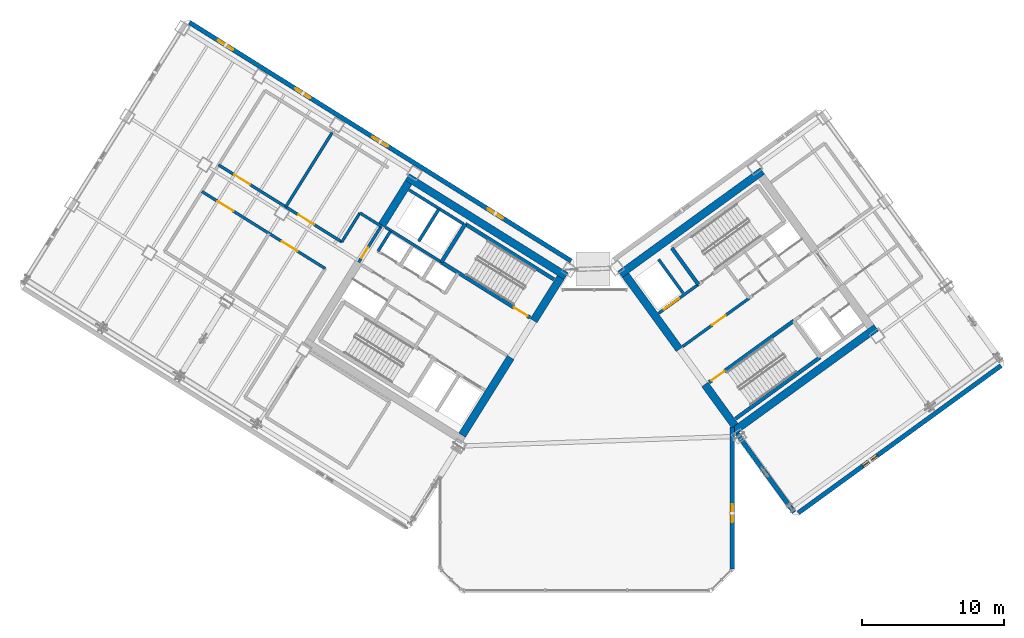
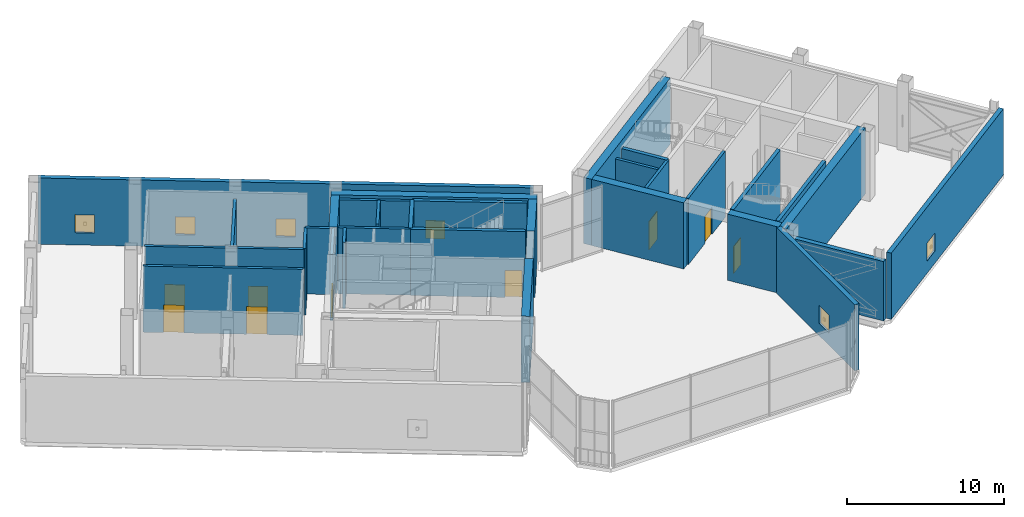
# One storey, part 22 of 30: 31 walls, 9 doors, 6 windows, 15 openings.
"""IFC4 building model written with IfcOpenShell, lengths in metres."""

from ifc_helpers import new_model, si_unit, direction, frame, frame_2d, origin, place, context, subcontext, project, spatial, rectangle, extrude, source, transform, mapped, material, layer, layer_set, type_object, element, fill, save


model = new_model("IFC4")

# Units and contexts
model_context = context("Model", 3, precision=1e-05, world=origin(), true_north=direction((0.0, 1.0)))
body_context = subcontext(model_context, "Body", "Model", "MODEL_VIEW")
ifc_project = project(units=[si_unit("LENGTHUNIT", "METRE"), si_unit("AREAUNIT", "SQUARE_METRE"), si_unit("VOLUMEUNIT", "CUBIC_METRE"), si_unit("PLANEANGLEUNIT", "RADIAN"), si_unit("MASSUNIT", "GRAM", prefix="KILO")], contexts=[model_context])

# Site, building, storey
site_placement = place(None, origin())
site = spatial("IfcSite", under=ifc_project, at=site_placement, CompositionType="ELEMENT")
building_placement = place(site_placement, origin())
building = spatial("IfcBuilding", under=site, at=building_placement, Name="Tlacorven Tower", CompositionType="ELEMENT")
storey_placement = place(building_placement, frame((0.0, 0.0, 169.5)))
storey = spatial("IfcBuildingStorey", under=building, at=storey_placement, Name="L43", CompositionType="ELEMENT", Elevation=169.5)

# Walls
ifc_material_1 = material(Name="Concrete C60/75", Category="concrete")
ifc_layer_1 = layer(ifc_material_1, 0.550048828125)
ifc_layer_set_1 = layer_set([ifc_layer_1], Name="Concrete C60/75")
wall_type_1 = type_object("IfcWallType", Name="WL-COR-550", PredefinedType="SHEAR", material=ifc_layer_set_1)
wall_1_placement = place(storey_placement, frame((40.572998046875, 24.010009765625, 0.0), z_axis=(0.0, 0.0, 1.0), x_axis=(-0.848047359947, 0.529920442413, 0.0)))
element("IfcWall", 1, at=wall_1_placement, inside=storey, type_object=wall_type_1, Name="L43 W core shear wall S1", PredefinedType="SHEAR", context=body_context, shape_type="SweptSolid", body=[
    extrude(rectangle(XDim=13.139892578125, YDim=0.550048828125, at=frame_2d((6.56982421875, 0.0))), origin(), (0.0, 0.0, 1.0), 5.14990234375),
])
wall_2_placement = place(storey_placement, frame((40.194091796875, 23.92236328125, 0.0), z_axis=(0.0, 0.0, 1.0), x_axis=(-0.529888438328, -0.848067357541, 0.0)))
element("IfcWall", 2, at=wall_2_placement, inside=storey, type_object=wall_type_1, Name="L43 W core end wall E1.1", PredefinedType="SHEAR", context=body_context, shape_type="SweptSolid", body=[
    extrude(rectangle(XDim=3.574951171875, YDim=0.550048828125, at=frame_2d((1.78759765625, 0.0))), origin(), (0.0, 0.0, 1.0), 5.14990234375),
])
wall_3_placement = place(storey_placement, frame((36.683349609375, 18.30419921875, 0.0), z_axis=(0.0, 0.0, 1.0), x_axis=(-0.529896466841, -0.848062341122, 0.0)))
element("IfcWall", 3, at=wall_3_placement, inside=storey, type_object=wall_type_1, Name="L43 W core end wall E1.2", PredefinedType="SHEAR", context=body_context, shape_type="SweptSolid", body=[
    extrude(rectangle(XDim=6.4248046875, YDim=0.550048828125, at=frame_2d((3.21240234375, 0.0))), origin(), (0.0, 0.0, 1.0), 5.14990234375),
])
wall_4_placement = place(storey_placement, frame((29.517333984375, 30.59423828125, 0.0), z_axis=(0.0, 0.0, 1.0), x_axis=(-0.529906864564, -0.848055844204, 0.0)))
element("IfcWall", 4, at=wall_4_placement, inside=storey, type_object=wall_type_1, Name="L43 W core end wall E2.1", PredefinedType="SHEAR", context=body_context, shape_type="SweptSolid", body=[
    extrude(rectangle(XDim=3.5751953125, YDim=0.550048828125, at=frame_2d((1.78759765625, 0.0))), origin(), (0.0, 0.0, 1.0), 5.14990234375),
])
for number, where, z_axis, x_axis, name in (
    (5, (52.35888671875, 13.1396484375, 0.0), (0.0, 0.0, 1.0), (0.809014896919, 0.587788139183, 0.0), "L43 E core shear wall S1"),
    (6, (44.364990234375, 24.142333984375, 0.0), (0.0, 0.0, 1.0), (0.809024304885, 0.587775190107, 0.0), "L43 E core shear wall S2"),
):
    element("IfcWall", number, at=place(storey_placement, frame(where, z_axis=z_axis, x_axis=x_axis)), inside=storey, type_object=wall_type_1, Name=name, PredefinedType="SHEAR", context=body_context, shape_type="SweptSolid", body=[
        extrude(rectangle(XDim=12.340087890625, YDim=0.550048828125, at=frame_2d((6.169921875, 0.0))), origin(), (0.0, 0.0, 1.0), 5.14990234375),
    ])
wall_5_placement = place(storey_placement, frame((52.419677734375, 13.52392578125, 0.0), z_axis=(0.0, 0.0, 1.0), x_axis=(-0.587802113096, 0.809004744015, 0.0)))
element("IfcWall", 7, at=wall_5_placement, inside=storey, type_object=wall_type_1, Name="L43 E core end wall E1.1", PredefinedType="SHEAR", context=body_context, shape_type="SweptSolid", body=[
    extrude(rectangle(XDim=3.574951171875, YDim=0.550048828125, at=frame_2d((1.78759765625, 0.0))), origin(), (0.0, 0.0, 1.0), 5.14990234375),
])
wall_6_placement = place(storey_placement, frame((48.525634765625, 18.883544921875, 0.0), z_axis=(0.0, 0.0, 1.0), x_axis=(-0.587764933797, 0.809031756236, 0.0)))
element("IfcWall", 8, at=wall_6_placement, inside=storey, type_object=wall_type_1, Name="L43 E core end wall E1.2", PredefinedType="SHEAR", context=body_context, shape_type="SweptSolid", body=[
    extrude(rectangle(XDim=6.425048828125, YDim=0.550048828125, at=frame_2d((3.21240234375, 0.0))), origin(), (0.0, 0.0, 1.0), 5.14990234375),
])

# Wall, openings, windows
ifc_material_2 = material(Name="Precast concrete C45/55", Category="concrete")
ifc_layer_2 = layer(ifc_material_2, 0.320068359375)
ifc_layer_set_2 = layer_set([ifc_layer_2], Name="Precast concrete C45/55")
wall_type_2 = type_object("IfcWallType", Name="WL-EXT-320", PredefinedType="STANDARD", material=ifc_layer_set_2)
wall_7_placement = place(storey_placement, frame((14.13818359375, 41.825439453125, 0.0), z_axis=(0.0, 0.0, 1.0), x_axis=(0.848046498049, -0.529921821731, 0.0)))
wall_7 = element("IfcWall", 9, at=wall_7_placement, inside=storey, type_object=wall_type_2, Name="L43 Masonry-Frame Recessed Facade Wall 3", PredefinedType="STANDARD", context=body_context, shape_type="SweptSolid", body=[
    extrude(rectangle(XDim=31.587646484375, YDim=0.320068359375, at=frame_2d((15.7939453125, 0.0))), origin(), (0.0, 0.0, 1.0), 5.14990234375),
])
opening_1_placement = place(wall_7_placement, frame((2.36865234375, 0.0, 0.949951171875)))
opening_1 = element("IfcOpeningElement", 10, at=opening_1_placement, cuts=wall_7, Name="Opening WN20", PredefinedType="OPENING", context=body_context, shape_type="SweptSolid", body=[
    extrude(rectangle(XDim=1.25, YDim=1.39990234375, at=frame_2d((0.625, 0.699951171875))), frame((0.0, 0.169921875, 0.0), z_axis=(0.0, -1.0, 0.0), x_axis=(1.0, 0.0, 0.0)), (0.0, 0.0, 1.0), 0.340087890625),
])
opening_2_placement = place(wall_7_placement, frame((8.768798828125, 0.0, 0.949951171875)))
opening_2 = element("IfcOpeningElement", 11, at=opening_2_placement, cuts=wall_7, Name="Opening WN20", PredefinedType="OPENING", context=body_context, shape_type="SweptSolid", body=[
    extrude(rectangle(XDim=1.25, YDim=1.39990234375, at=frame_2d((0.625, 0.699951171875))), frame((0.0, 0.169921875, 0.0), z_axis=(0.0, -1.0, 0.0), x_axis=(1.0, 0.0, 0.0)), (0.0, 0.0, 1.0), 0.340087890625),
])
opening_3_placement = place(wall_7_placement, frame((15.168701171875, 0.0, 0.949951171875)))
opening_3 = element("IfcOpeningElement", 12, at=opening_3_placement, cuts=wall_7, Name="Opening WN20", PredefinedType="OPENING", context=body_context, shape_type="SweptSolid", body=[
    extrude(rectangle(XDim=1.25, YDim=1.39990234375, at=frame_2d((0.625, 0.699951171875))), frame((0.0, 0.169921875, 0.0), z_axis=(0.0, -1.0, 0.0), x_axis=(1.0, 0.0, 0.0)), (0.0, 0.0, 1.0), 0.340087890625),
])
opening_4_placement = place(wall_7_placement, frame((24.68798828125, 0.0, 0.949951171875)))
opening_4 = element("IfcOpeningElement", 13, at=opening_4_placement, cuts=wall_7, Name="Opening WN20", PredefinedType="OPENING", context=body_context, shape_type="SweptSolid", body=[
    extrude(rectangle(XDim=1.25, YDim=1.39990234375, at=frame_2d((0.625, 0.699951171875))), frame((0.0, 0.169921875, 0.0), z_axis=(0.0, -1.0, 0.0), x_axis=(1.0, 0.0, 0.0)), (0.0, 0.0, 1.0), 0.340087890625),
])
ifc_material_3 = material(Name="Dark solar low-E double glazing in anodised aluminium frame", Category="aluminium")
window_type = type_object("IfcWindowType", Name="WN-CRN-1250X1500", PartitioningType="SINGLE_PANEL", PredefinedType="WINDOW", material=ifc_material_3)
shared_shape_1 = source(origin(), body_context, "Body", "SweptSolid", [
    extrude(rectangle(XDim=1.25, YDim=1.39990234375, at=frame_2d((0.625, 0.699951171875))), frame((0.0, 0.030029296875, 0.0), z_axis=(0.0, -1.0, 0.0), x_axis=(1.0, 0.0, 0.0)), (0.0, 0.0, 1.0), 0.06005859375),
])
window_1_placement = place(opening_1_placement, origin())
window_1 = element("IfcWindow", 14, at=window_1_placement, inside=storey, type_object=window_type, Name="L43 Acoustic Plant Facade Window 3.1", OverallHeight=1.39990234375, OverallWidth=1.25, PartitioningType="SINGLE_PANEL", PredefinedType="WINDOW", context=body_context, shape_type="MappedRepresentation", body=[
    mapped(shared_shape_1, transform((0.0, 0.0, 0.0), scale=1.0)),
])
fill(opening_1, window_1)
window_2_placement = place(opening_2_placement, origin())
window_2 = element("IfcWindow", 15, at=window_2_placement, inside=storey, type_object=window_type, Name="L43 Acoustic Plant Facade Window 3.2", OverallHeight=1.39990234375, OverallWidth=1.25, PartitioningType="SINGLE_PANEL", PredefinedType="WINDOW", context=body_context, shape_type="MappedRepresentation", body=[
    mapped(shared_shape_1, transform((0.0, 0.0, 0.0), scale=1.0)),
])
fill(opening_2, window_2)
window_3_placement = place(opening_3_placement, origin())
window_3 = element("IfcWindow", 16, at=window_3_placement, inside=storey, type_object=window_type, Name="L43 Acoustic Plant Facade Window 3.3", OverallHeight=1.39990234375, OverallWidth=1.25, PartitioningType="SINGLE_PANEL", PredefinedType="WINDOW", context=body_context, shape_type="MappedRepresentation", body=[
    mapped(shared_shape_1, transform((0.0, 0.0, 0.0), scale=1.0)),
])
fill(opening_3, window_3)
window_4_placement = place(opening_4_placement, origin())
window_4 = element("IfcWindow", 17, at=window_4_placement, inside=storey, type_object=window_type, Name="L43 Acoustic Plant Facade Window 3.4", OverallHeight=1.39990234375, OverallWidth=1.25, PartitioningType="SINGLE_PANEL", PredefinedType="WINDOW", context=body_context, shape_type="MappedRepresentation", body=[
    mapped(shared_shape_1, transform((0.0, 0.0, 0.0), scale=1.0)),
])
fill(opening_4, window_4)

# Wall, opening, window
wall_8_placement = place(storey_placement, frame((71.097900390625, 17.73095703125, 0.0), z_axis=(0.0, 0.0, 1.0), x_axis=(-0.809021120468, -0.587779573171, 0.0)))
wall_8 = element("IfcWall", 18, at=wall_8_placement, inside=storey, type_object=wall_type_2, Name="L43 Masonry-Frame Recessed Facade Wall 6", PredefinedType="STANDARD", context=body_context, shape_type="SweptSolid", body=[
    extrude(rectangle(XDim=17.587646484375, YDim=0.320068359375, at=frame_2d((8.7939453125, 0.0))), origin(), (0.0, 0.0, 1.0), 5.14990234375),
])
opening_5_placement = place(wall_8_placement, frame((10.731689453125, 0.0, 0.949951171875)))
opening_5 = element("IfcOpeningElement", 19, at=opening_5_placement, cuts=wall_8, Name="Opening WN20", PredefinedType="OPENING", context=body_context, shape_type="SweptSolid", body=[
    extrude(rectangle(XDim=1.25, YDim=1.39990234375, at=frame_2d((0.625, 0.699951171875))), frame((0.0, 0.169921875, 0.0), z_axis=(0.0, -1.0, 0.0), x_axis=(1.0, 0.0, 0.0)), (0.0, 0.0, 1.0), 0.340087890625),
])
window_5_placement = place(opening_5_placement, origin())
window_5 = element("IfcWindow", 20, at=window_5_placement, inside=storey, type_object=window_type, Name="L43 Acoustic Plant Facade Window 6.1", OverallHeight=1.39990234375, OverallWidth=1.25, PartitioningType="SINGLE_PANEL", PredefinedType="WINDOW", context=body_context, shape_type="MappedRepresentation", body=[
    mapped(shared_shape_1, transform((0.0, 0.0, 0.0), scale=1.0)),
])
fill(opening_5, window_5)

# Wall
wall_9_placement = place(storey_placement, frame((56.5810546875, 7.43896484375, 0.0), z_axis=(0.0, 0.0, 1.0), x_axis=(-0.587771678454, 0.809026856172, 0.0)))
element("IfcWall", 21, at=wall_9_placement, inside=storey, type_object=wall_type_2, Name="L43 Masonry-Frame Recessed Facade Wall 7", PredefinedType="STANDARD", context=body_context, shape_type="SweptSolid", body=[
    extrude(rectangle(XDim=6.82373046875, YDim=0.320068359375, at=frame_2d((3.411865234375, 0.0))), origin(), (0.0, 0.0, 1.0), 4.625),
])

# Wall, opening, window
wall_10_placement = place(storey_placement, frame((52.239990234375, 13.4140625, 0.0), z_axis=(0.0, 0.0, 1.0), x_axis=(0.0, -1.0, 0.0)))
wall_10 = element("IfcWall", 22, at=wall_10_placement, inside=storey, type_object=wall_type_2, Name="L43 Masonry-Frame Recessed Facade Wall 8", PredefinedType="STANDARD", context=body_context, shape_type="SweptSolid", body=[
    extrude(rectangle(XDim=9.94775390625, YDim=0.320068359375, at=frame_2d((4.973876953125, 0.0))), origin(), (0.0, 0.0, 1.0), 5.14990234375),
])
opening_6_placement = place(wall_10_placement, frame((5.414794921875, 0.0, 0.949951171875)))
opening_6 = element("IfcOpeningElement", 23, at=opening_6_placement, cuts=wall_10, Name="Opening WN20", PredefinedType="OPENING", context=body_context, shape_type="SweptSolid", body=[
    extrude(rectangle(XDim=1.25, YDim=1.39990234375, at=frame_2d((0.625, 0.699951171875))), frame((0.0, 0.169921875, 0.0), z_axis=(0.0, -1.0, 0.0), x_axis=(1.0, 0.0, 0.0)), (0.0, 0.0, 1.0), 0.340087890625),
])
window_6_placement = place(opening_6_placement, origin())
window_6 = element("IfcWindow", 24, at=window_6_placement, inside=storey, type_object=window_type, Name="L43 Acoustic Plant Facade Window 8.1", OverallHeight=1.39990234375, OverallWidth=1.25, PartitioningType="SINGLE_PANEL", PredefinedType="WINDOW", context=body_context, shape_type="MappedRepresentation", body=[
    mapped(shared_shape_1, transform((0.0, 0.0, 0.0), scale=1.0)),
])
fill(opening_6, window_6)

# Walls
ifc_material_4 = material(Name="Concrete C40/50", Category="concrete")
ifc_layer_3 = layer(ifc_material_4, 0.199951171875)
ifc_layer_set_3 = layer_set([ifc_layer_3], Name="Concrete C40/50")
wall_type_3 = type_object("IfcWallType", Name="WL-SHF-200", PredefinedType="STANDARD", material=ifc_layer_set_3)
wall_11_placement = place(storey_placement, frame((31.82177734375, 24.99755859375, 0.0), z_axis=(0.0, 0.0, 1.0), x_axis=(-0.848036912365, 0.52993716162, 0.0)))
element("IfcWall", 25, at=wall_11_placement, inside=storey, type_object=wall_type_3, Name="L43 Core W South Lift Shaft Wall", PredefinedType="STANDARD", context=body_context, shape_type="SweptSolid", body=[
    extrude(rectangle(XDim=4.617919921875, YDim=0.199951171875, at=frame_2d((2.30908203125, 0.0))), origin(), (0.0, 0.0, 1.0), 5.139892578125),
])
wall_12_placement = place(storey_placement, frame((28.250244140625, 27.170166015625, 0.0), z_axis=(0.0, 0.0, 1.0), x_axis=(-0.529905827651, -0.848056492117, 0.0)))
element("IfcWall", 26, at=wall_12_placement, inside=storey, type_object=wall_type_3, Name="L43 partition 13", PredefinedType="STANDARD", context=body_context, shape_type="SweptSolid", body=[
    extrude(rectangle(XDim=1.64990234375, YDim=0.199951171875, at=frame_2d((0.824951171875, 0.0))), origin(), (0.0, 0.0, 1.0), 5.139892578125),
])
wall_13_placement = place(storey_placement, frame((31.645263671875, 28.716064453125, 0.0), z_axis=(0.0, 0.0, 1.0), x_axis=(-0.52986693015, -0.848080795876, 0.0)))
element("IfcWall", 27, at=wall_13_placement, inside=storey, type_object=wall_type_3, Name="L43 partition 15", PredefinedType="STANDARD", context=body_context, shape_type="SweptSolid", body=[
    extrude(rectangle(XDim=2.659912109375, YDim=0.199951171875, at=frame_2d((1.330078125, 0.0))), origin(), (0.0, 0.0, 1.0), 5.139892578125),
])
wall_14_placement = place(storey_placement, frame((33.362548828125, 27.690185546875, 0.0), z_axis=(0.0, 0.0, 1.0), x_axis=(-0.848047090064, 0.529920874315, 0.0)))
element("IfcWall", 28, at=wall_14_placement, inside=storey, type_object=wall_type_3, Name="L43 partition 17", PredefinedType="STANDARD", context=body_context, shape_type="SweptSolid", body=[
    extrude(rectangle(XDim=4.498046875, YDim=0.199951171875, at=frame_2d((2.2490234375, 0.0))), origin(), (0.0, 0.0, 1.0), 5.139892578125),
])

# Wall, opening, door
wall_15_placement = place(storey_placement, frame((47.0654296875, 21.4072265625, 0.0), z_axis=(0.0, 0.0, 1.0), x_axis=(0.809032984992, 0.587763242466, 0.0)))
wall_15 = element("IfcWall", 29, at=wall_15_placement, inside=storey, type_object=wall_type_3, Name="L43 Core E Firefighting Lift Shaft Front Wall", PredefinedType="STANDARD", context=body_context, shape_type="SweptSolid", body=[
    extrude(rectangle(XDim=3.447998046875, YDim=0.199951171875, at=frame_2d((1.72412109375, 0.0))), origin(), (0.0, 0.0, 1.0), 5.139892578125),
])
opening_7_placement = place(wall_15_placement, frame((0.4580078125, 0.0, 0.0)))
opening_7 = element("IfcOpeningElement", 30, at=opening_7_placement, cuts=wall_15, Name="Opening LD03", PredefinedType="OPENING", context=body_context, shape_type="SweptSolid", body=[
    extrude(rectangle(XDim=1.300048828125, YDim=2.199951171875, at=frame_2d((0.64990234375, 1.10009765625))), frame((0.0, 0.10986328125, 0.0), z_axis=(0.0, -1.0, 0.0), x_axis=(1.0, 0.0, 0.0)), (0.0, 0.0, 1.0), 0.219970703125),
])
ifc_material_5 = material(Name="Fire-rated steel door assembly", Category="steel")
door_type_1 = type_object("IfcDoorType", Name="DR-LFT-SLID-1300", OperationType="DOUBLE_DOOR_SLIDING", PredefinedType="DOOR", material=ifc_material_5)
shared_shape_2 = source(origin(), body_context, "Body", "SweptSolid", [
    extrude(rectangle(XDim=1.300048828125, YDim=2.199951171875, at=frame_2d((0.64990234375, 1.10009765625))), frame((0.0, 0.02490234375, 0.0), z_axis=(0.0, -1.0, 0.0), x_axis=(1.0, 0.0, 0.0)), (0.0, 0.0, 1.0), 0.050048828125),
])
door_1_placement = place(opening_7_placement, origin())
door_1 = element("IfcDoor", 31, at=door_1_placement, inside=storey, type_object=door_type_1, Name="L43 Lift FFL-E1 Sliding Landing Door", OperationType="DOUBLE_DOOR_SLIDING", OverallHeight=2.199951171875, OverallWidth=1.300048828125, PredefinedType="DOOR", context=body_context, shape_type="MappedRepresentation", body=[
    mapped(shared_shape_2, transform((0.0, 0.0, 0.0), scale=1.0)),
])
fill(opening_7, door_1)

wall_16_placement = place(storey_placement, frame((48.75830078125, 19.0771484375, 0.0), z_axis=(0.0, 0.0, 1.0), x_axis=(0.809005065155, 0.587801671104, 0.0)))
wall_16 = element("IfcWall", 32, at=wall_16_placement, inside=storey, type_object=wall_type_3, Name="L43 Core E Smoke Lobby Wall", PredefinedType="STANDARD", context=body_context, shape_type="SweptSolid", body=[
    extrude(rectangle(XDim=5.767822265625, YDim=0.199951171875, at=frame_2d((2.8837890625, 0.0))), origin(), (0.0, 0.0, 1.0), 5.139892578125),
])
opening_8_placement = place(wall_16_placement, frame((2.548095703125, 0.0, 0.0)))
opening_8 = element("IfcOpeningElement", 33, at=opening_8_placement, cuts=wall_16, Name="Opening D09", PredefinedType="OPENING", context=body_context, shape_type="SweptSolid", body=[
    extrude(rectangle(XDim=1.14990234375, YDim=2.10009765625, at=frame_2d((0.574951171875, 1.050048828125))), frame((0.0, 0.10986328125, 0.0), z_axis=(0.0, -1.0, 0.0), x_axis=(1.0, 0.0, 0.0)), (0.0, 0.0, 1.0), 0.219970703125),
])
door_type_2 = type_object("IfcDoorType", Name="DR-FFL-FD60-1150", OperationType="NOTDEFINED", PredefinedType="DOOR", material=ifc_material_5)
shared_shape_3 = source(origin(), body_context, "Body", "SweptSolid", [
    extrude(rectangle(XDim=1.14990234375, YDim=2.10009765625, at=frame_2d((0.574951171875, 1.050048828125))), frame((0.0, 0.02490234375, 0.0), z_axis=(0.0, -1.0, 0.0), x_axis=(1.0, 0.0, 0.0)), (0.0, 0.0, 1.0), 0.050048828125),
])
door_2_placement = place(opening_8_placement, origin())
door_2 = element("IfcDoor", 34, at=door_2_placement, inside=storey, type_object=door_type_2, Name="L43 Firefighting Lobby E Fire Door", OperationType="SINGLE_SWING_LEFT", OverallHeight=2.10009765625, OverallWidth=1.14990234375, PredefinedType="DOOR", context=body_context, shape_type="MappedRepresentation", body=[
    mapped(shared_shape_3, transform((0.0, 0.0, 0.0), scale=1.0)),
])
fill(opening_8, door_2)

# Wall
wall_17_placement = place(storey_placement, frame((48.78564453125, 22.830078125, 0.0), z_axis=(0.0, 0.0, 1.0), x_axis=(-0.587783856777, 0.809018008275, 0.0)))
element("IfcWall", 35, at=wall_17_placement, inside=storey, type_object=wall_type_3, Name="L43 partition 34", PredefinedType="STANDARD", context=body_context, shape_type="SweptSolid", body=[
    extrude(rectangle(XDim=2.919921875, YDim=0.199951171875, at=frame_2d((1.4599609375, 0.0))), origin(), (0.0, 0.0, 1.0), 5.139892578125),
])

# Wall, openings, doors
wall_18_placement = place(storey_placement, frame((24.83203125, 26.417236328125, 0.0), z_axis=(0.0, 0.0, 1.0), x_axis=(-0.848045364107, 0.529923636401, 0.0)))
wall_18 = element("IfcWall", 36, at=wall_18_placement, inside=storey, type_object=wall_type_3, Name="L43 partition 45", PredefinedType="STANDARD", context=body_context, shape_type="SweptSolid", body=[
    extrude(rectangle(XDim=10.2001953125, YDim=0.199951171875, at=frame_2d((5.10009765625, 0.0))), origin(), (0.0, 0.0, 1.0), 5.139892578125),
])
opening_9_placement = place(wall_18_placement, frame((2.300048828125, 0.0, 0.0)))
opening_9 = element("IfcOpeningElement", 37, at=opening_9_placement, cuts=wall_18, Name="Opening D18", PredefinedType="OPENING", context=body_context, shape_type="SweptSolid", body=[
    extrude(rectangle(XDim=1.300048828125, YDim=2.14990234375, at=frame_2d((0.64990234375, 1.074951171875))), frame((0.0, 0.10986328125, 0.0), z_axis=(0.0, -1.0, 0.0), x_axis=(1.0, 0.0, 0.0)), (0.0, 0.0, 1.0), 0.219970703125),
])
opening_10_placement = place(wall_18_placement, frame((7.60009765625, 0.0, 0.0)))
opening_10 = element("IfcOpeningElement", 38, at=opening_10_placement, cuts=wall_18, Name="Opening D18", PredefinedType="OPENING", context=body_context, shape_type="SweptSolid", body=[
    extrude(rectangle(XDim=1.300048828125, YDim=2.14990234375, at=frame_2d((0.64990234375, 1.074951171875))), frame((0.0, 0.10986328125, 0.0), z_axis=(0.0, -1.0, 0.0), x_axis=(1.0, 0.0, 0.0)), (0.0, 0.0, 1.0), 0.219970703125),
])
door_type_3 = type_object("IfcDoorType", Name="DR-MEP-FD60-1300", OperationType="DOUBLE_DOOR_SINGLE_SWING", PredefinedType="DOOR", material=ifc_material_5)
shared_shape_4 = source(origin(), body_context, "Body", "SweptSolid", [
    extrude(rectangle(XDim=1.300048828125, YDim=2.14990234375, at=frame_2d((0.64990234375, 1.074951171875))), frame((0.0, 0.02490234375, 0.0), z_axis=(0.0, -1.0, 0.0), x_axis=(1.0, 0.0, 0.0)), (0.0, 0.0, 1.0), 0.050048828125),
])
door_3_placement = place(opening_9_placement, frame((1.300048828125, 0.0, 0.0), z_axis=(0.0, 0.0, 1.0), x_axis=(-1.0, 0.0, 0.0)))
door_3 = element("IfcDoor", 39, at=door_3_placement, inside=storey, type_object=door_type_3, Name="L43 door 027", OperationType="DOUBLE_DOOR_SINGLE_SWING", OverallHeight=2.14990234375, OverallWidth=1.300048828125, PredefinedType="DOOR", context=body_context, shape_type="MappedRepresentation", body=[
    mapped(shared_shape_4, transform((0.0, 0.0, 0.0), scale=1.0)),
])
fill(opening_9, door_3)
door_4_placement = place(opening_10_placement, frame((1.300048828125, 0.0, 0.0), z_axis=(0.0, 0.0, 1.0), x_axis=(-1.0, 0.0, 0.0)))
door_4 = element("IfcDoor", 40, at=door_4_placement, inside=storey, type_object=door_type_3, Name="L43 door 028", OperationType="DOUBLE_DOOR_SINGLE_SWING", OverallHeight=2.14990234375, OverallWidth=1.300048828125, PredefinedType="DOOR", context=body_context, shape_type="MappedRepresentation", body=[
    mapped(shared_shape_4, transform((0.0, 0.0, 0.0), scale=1.0)),
])
fill(opening_10, door_4)

wall_19_placement = place(storey_placement, frame((23.666015625, 24.551513671875, 0.0), z_axis=(0.0, 0.0, 1.0), x_axis=(-0.848038642463, 0.529934393004, 0.0)))
wall_19 = element("IfcWall", 41, at=wall_19_placement, inside=storey, type_object=wall_type_3, Name="L43 partition 46", PredefinedType="STANDARD", context=body_context, shape_type="SweptSolid", body=[
    extrude(rectangle(XDim=10.199951171875, YDim=0.199951171875, at=frame_2d((5.10009765625, 0.0))), origin(), (0.0, 0.0, 1.0), 5.139892578125),
])
opening_11_placement = place(wall_19_placement, frame((2.300048828125, 0.0, 0.0)))
opening_11 = element("IfcOpeningElement", 42, at=opening_11_placement, cuts=wall_19, Name="Opening D18", PredefinedType="OPENING", context=body_context, shape_type="SweptSolid", body=[
    extrude(rectangle(XDim=1.300048828125, YDim=2.14990234375, at=frame_2d((0.64990234375, 1.074951171875))), frame((0.0, 0.10986328125, 0.0), z_axis=(0.0, -1.0, 0.0), x_axis=(1.0, 0.0, 0.0)), (0.0, 0.0, 1.0), 0.219970703125),
])
opening_12_placement = place(wall_19_placement, frame((7.60009765625, 0.0, 0.0)))
opening_12 = element("IfcOpeningElement", 43, at=opening_12_placement, cuts=wall_19, Name="Opening D18", PredefinedType="OPENING", context=body_context, shape_type="SweptSolid", body=[
    extrude(rectangle(XDim=1.300048828125, YDim=2.14990234375, at=frame_2d((0.64990234375, 1.074951171875))), frame((0.0, 0.10986328125, 0.0), z_axis=(0.0, -1.0, 0.0), x_axis=(1.0, 0.0, 0.0)), (0.0, 0.0, 1.0), 0.219970703125),
])
door_5_placement = place(opening_11_placement, origin())
door_5 = element("IfcDoor", 44, at=door_5_placement, inside=storey, type_object=door_type_3, Name="L43 door 025", OperationType="DOUBLE_DOOR_SINGLE_SWING", OverallHeight=2.14990234375, OverallWidth=1.300048828125, PredefinedType="DOOR", context=body_context, shape_type="MappedRepresentation", body=[
    mapped(shared_shape_4, transform((0.0, 0.0, 0.0), scale=1.0)),
])
fill(opening_11, door_5)
door_6_placement = place(opening_12_placement, origin())
door_6 = element("IfcDoor", 45, at=door_6_placement, inside=storey, type_object=door_type_3, Name="L43 door 026", OperationType="DOUBLE_DOOR_SINGLE_SWING", OverallHeight=2.14990234375, OverallWidth=1.300048828125, PredefinedType="DOOR", context=body_context, shape_type="MappedRepresentation", body=[
    mapped(shared_shape_4, transform((0.0, 0.0, 0.0), scale=1.0)),
])
fill(opening_12, door_6)

# Wall, opening, door
wall_20_placement = place(storey_placement, frame((27.59619140625, 27.52001953125, 0.0), z_axis=(0.0, 0.0, 1.0), x_axis=(-0.529865479138, -0.848081702443, 0.0)))
wall_20 = element("IfcWall", 46, at=wall_20_placement, inside=storey, type_object=wall_type_3, Name="L43 partition 48", PredefinedType="STANDARD", context=body_context, shape_type="SweptSolid", body=[
    extrude(rectangle(XDim=2.9599609375, YDim=0.199951171875, at=frame_2d((1.47998046875, 0.0))), origin(), (0.0, 0.0, 1.0), 5.139892578125),
])
opening_13_placement = place(wall_20_placement, frame((1.760009765625, 0.0, 0.0)))
opening_13 = element("IfcOpeningElement", 47, at=opening_13_placement, cuts=wall_20, Name="Opening D19", PredefinedType="OPENING", context=body_context, shape_type="SweptSolid", body=[
    extrude(rectangle(XDim=0.860107421875, YDim=2.050048828125, at=frame_2d((0.43017578125, 1.02490234375))), frame((0.0, 0.10986328125, 0.0), z_axis=(0.0, -1.0, 0.0), x_axis=(1.0, 0.0, 0.0)), (0.0, 0.0, 1.0), 0.219970703125),
])
door_type_4 = type_object("IfcDoorType", Name="DR-RSR-FD60-0860", OperationType="NOTDEFINED", PredefinedType="DOOR", material=ifc_material_5)
shared_shape_5 = source(origin(), body_context, "Body", "SweptSolid", [
    extrude(rectangle(XDim=0.860107421875, YDim=2.050048828125, at=frame_2d((0.43017578125, 1.02490234375))), frame((0.0, 0.02490234375, 0.0), z_axis=(0.0, -1.0, 0.0), x_axis=(1.0, 0.0, 0.0)), (0.0, 0.0, 1.0), 0.050048828125),
])
door_7_placement = place(opening_13_placement, origin())
door_7 = element("IfcDoor", 48, at=door_7_placement, inside=storey, type_object=door_type_4, Name="L43 door 023", OperationType="SINGLE_SWING_LEFT", OverallHeight=2.050048828125, OverallWidth=0.860107421875, PredefinedType="DOOR", context=body_context, shape_type="MappedRepresentation", body=[
    mapped(shared_shape_5, transform((0.0, 0.0, 0.0), scale=1.0)),
])
fill(opening_13, door_7)

# Walls
wall_21_placement = place(storey_placement, frame((27.59619140625, 27.52001953125, 0.0), z_axis=(0.0, 0.0, 1.0), x_axis=(-0.848037269931, 0.529936589422, 0.0)))
element("IfcWall", 49, at=wall_21_placement, inside=storey, type_object=wall_type_3, Name="L43 partition 53", PredefinedType="STANDARD", context=body_context, shape_type="SweptSolid", body=[
    extrude(rectangle(XDim=1.759765625, YDim=0.199951171875, at=frame_2d((0.8798828125, 0.0))), origin(), (0.0, 0.0, 1.0), 5.139892578125),
])
wall_22_placement = place(storey_placement, frame((26.103759765625, 28.45263671875, 0.0), z_axis=(0.0, 0.0, 1.0), x_axis=(-0.529880066358, -0.848072588448, 0.0)))
element("IfcWall", 50, at=wall_22_placement, inside=storey, type_object=wall_type_3, Name="L43 partition 55", PredefinedType="STANDARD", context=body_context, shape_type="SweptSolid", body=[
    extrude(rectangle(XDim=2.400146484375, YDim=0.199951171875, at=frame_2d((1.2001953125, 0.0))), origin(), (0.0, 0.0, 1.0), 5.139892578125),
])
wall_23_placement = place(storey_placement, frame((24.156005859375, 34.091552734375, 0.0), z_axis=(0.0, 0.0, 1.0), x_axis=(-0.529934707271, -0.84803844608, 0.0)))
element("IfcWall", 51, at=wall_23_placement, inside=storey, type_object=wall_type_3, Name="L43 partition 58", PredefinedType="STANDARD", context=body_context, shape_type="SweptSolid", body=[
    extrude(rectangle(XDim=6.14990234375, YDim=0.199951171875, at=frame_2d((3.074951171875, 0.0))), origin(), (0.0, 0.0, 1.0), 4.625),
])
ifc_material_6 = material(Name="Concrete C50/60", Category="concrete")
ifc_layer_4 = layer(ifc_material_6, 0.260009765625)
ifc_layer_set_4 = layer_set([ifc_layer_4], Name="Concrete C50/60")
wall_type_4 = type_object("IfcWallType", Name="WL-STW-260", PredefinedType="SHEAR", material=ifc_layer_set_4)
wall_24_placement = place(storey_placement, frame((39.720947265625, 23.787841796875, 0.0), z_axis=(0.0, 0.0, 1.0), x_axis=(-0.848054434086, 0.529909121291, 0.0)))
element("IfcWall", 52, at=wall_24_placement, inside=storey, type_object=wall_type_4, Name="L43 Stair W2 Far Shear Wall", PredefinedType="SHEAR", context=body_context, shape_type="SweptSolid", body=[
    extrude(rectangle(XDim=7.330078125, YDim=0.260009765625, at=frame_2d((3.6650390625, 0.0))), origin(), (0.0, 0.0, 1.0), 5.14990234375),
])

# Wall, opening, door
wall_25_placement = place(storey_placement, frame((38.04638671875, 21.10791015625, 0.0), z_axis=(0.0, 0.0, 1.0), x_axis=(-0.848054434086, 0.529909121291, 0.0)))
wall_25 = element("IfcWall", 53, at=wall_25_placement, inside=storey, type_object=wall_type_4, Name="L43 Stair W2 Lobby Shear Wall", PredefinedType="SHEAR", context=body_context, shape_type="SweptSolid", body=[
    extrude(rectangle(XDim=7.330078125, YDim=0.260009765625, at=frame_2d((3.6650390625, 0.0))), origin(), (0.0, 0.0, 1.0), 5.14990234375),
])
opening_14_placement = place(wall_25_placement, frame((0.219970703125, 0.0, 0.0)))
opening_14 = element("IfcOpeningElement", 54, at=opening_14_placement, cuts=wall_25, Name="Opening D07", PredefinedType="OPENING", context=body_context, shape_type="SweptSolid", body=[
    extrude(rectangle(XDim=1.10009765625, YDim=2.10009765625, at=frame_2d((0.550048828125, 1.050048828125))), frame((0.0, 0.14013671875, 0.0), z_axis=(0.0, -1.0, 0.0), x_axis=(1.0, 0.0, 0.0)), (0.0, 0.0, 1.0), 0.280029296875),
])
door_type_5 = type_object("IfcDoorType", Name="DR-STR-FD90-1100", OperationType="NOTDEFINED", PredefinedType="DOOR", material=ifc_material_5)
shared_shape_6 = source(origin(), body_context, "Body", "SweptSolid", [
    extrude(rectangle(XDim=1.10009765625, YDim=2.10009765625, at=frame_2d((0.550048828125, 1.050048828125))), frame((0.0, 0.02490234375, 0.0), z_axis=(0.0, -1.0, 0.0), x_axis=(1.0, 0.0, 0.0)), (0.0, 0.0, 1.0), 0.050048828125),
])
door_8_placement = place(opening_14_placement, origin())
door_8 = element("IfcDoor", 55, at=door_8_placement, inside=storey, type_object=door_type_5, Name="L43 Exit Stair W2 Fire Door", OperationType="SINGLE_SWING_RIGHT", OverallHeight=2.10009765625, OverallWidth=1.10009765625, PredefinedType="DOOR", context=body_context, shape_type="MappedRepresentation", body=[
    mapped(shared_shape_6, transform((0.0, 0.0, 0.0), scale=1.0)),
])
fill(opening_14, door_8)

# Walls
for number, where, z_axis, x_axis, name in (
    (56, (33.496337890625, 27.677490234375, 0.0), (0.0, 0.0, 1.0), (-0.529908658664, -0.84805472316, 0.0), "L43 Stair W2 East Shear Wall"),
    (57, (49.85498046875, 23.433837890625, 0.0), (0.0, 0.0, 1.0), (-0.58776738483, 0.809029975545, 0.0), "L43 Stair E1 West Shear Wall"),
):
    element("IfcWall", number, at=place(storey_placement, frame(where, z_axis=z_axis, x_axis=x_axis)), inside=storey, type_object=wall_type_4, Name=name, PredefinedType="SHEAR", context=body_context, shape_type="SweptSolid", body=[
        extrude(rectangle(XDim=3.16015625, YDim=0.260009765625, at=frame_2d((1.580078125, 0.0))), origin(), (0.0, 0.0, 1.0), 5.14990234375),
    ])
wall_26_placement = place(storey_placement, frame((52.47216796875, 14.01318359375, 0.0), z_axis=(0.0, 0.0, 1.0), x_axis=(0.809028366311, 0.587769599847, 0.0)))
element("IfcWall", 58, at=wall_26_placement, inside=storey, type_object=wall_type_4, Name="L43 Stair E2 Far Shear Wall", PredefinedType="SHEAR", context=body_context, shape_type="SweptSolid", body=[
    extrude(rectangle(XDim=7.330078125, YDim=0.260009765625, at=frame_2d((3.6650390625, 0.0))), origin(), (0.0, 0.0, 1.0), 5.14990234375),
])

# Wall, opening, door
wall_27_placement = place(storey_placement, frame((50.61474609375, 16.569580078125, 0.0), z_axis=(0.0, 0.0, 1.0), x_axis=(0.809028366311, 0.587769599847, 0.0)))
wall_27 = element("IfcWall", 59, at=wall_27_placement, inside=storey, type_object=wall_type_4, Name="L43 Stair E2 Lobby Shear Wall", PredefinedType="SHEAR", context=body_context, shape_type="SweptSolid", body=[
    extrude(rectangle(XDim=7.330078125, YDim=0.260009765625, at=frame_2d((3.6650390625, 0.0))), origin(), (0.0, 0.0, 1.0), 5.14990234375),
])
opening_15_placement = place(wall_27_placement, frame((0.219970703125, 0.0, 0.0)))
opening_15 = element("IfcOpeningElement", 60, at=opening_15_placement, cuts=wall_27, Name="Opening D07", PredefinedType="OPENING", context=body_context, shape_type="SweptSolid", body=[
    extrude(rectangle(XDim=1.10009765625, YDim=2.10009765625, at=frame_2d((0.550048828125, 1.050048828125))), frame((0.0, 0.14013671875, 0.0), z_axis=(0.0, -1.0, 0.0), x_axis=(1.0, 0.0, 0.0)), (0.0, 0.0, 1.0), 0.280029296875),
])
door_9_placement = place(opening_15_placement, origin())
door_9 = element("IfcDoor", 61, at=door_9_placement, inside=storey, type_object=door_type_5, Name="L43 Exit Stair E2 Fire Door", OperationType="SINGLE_SWING_RIGHT", OverallHeight=2.10009765625, OverallWidth=1.10009765625, PredefinedType="DOOR", context=body_context, shape_type="MappedRepresentation", body=[
    mapped(shared_shape_6, transform((0.0, 0.0, 0.0), scale=1.0)),
])
fill(opening_15, door_9)

save(model, "model.ifc")
